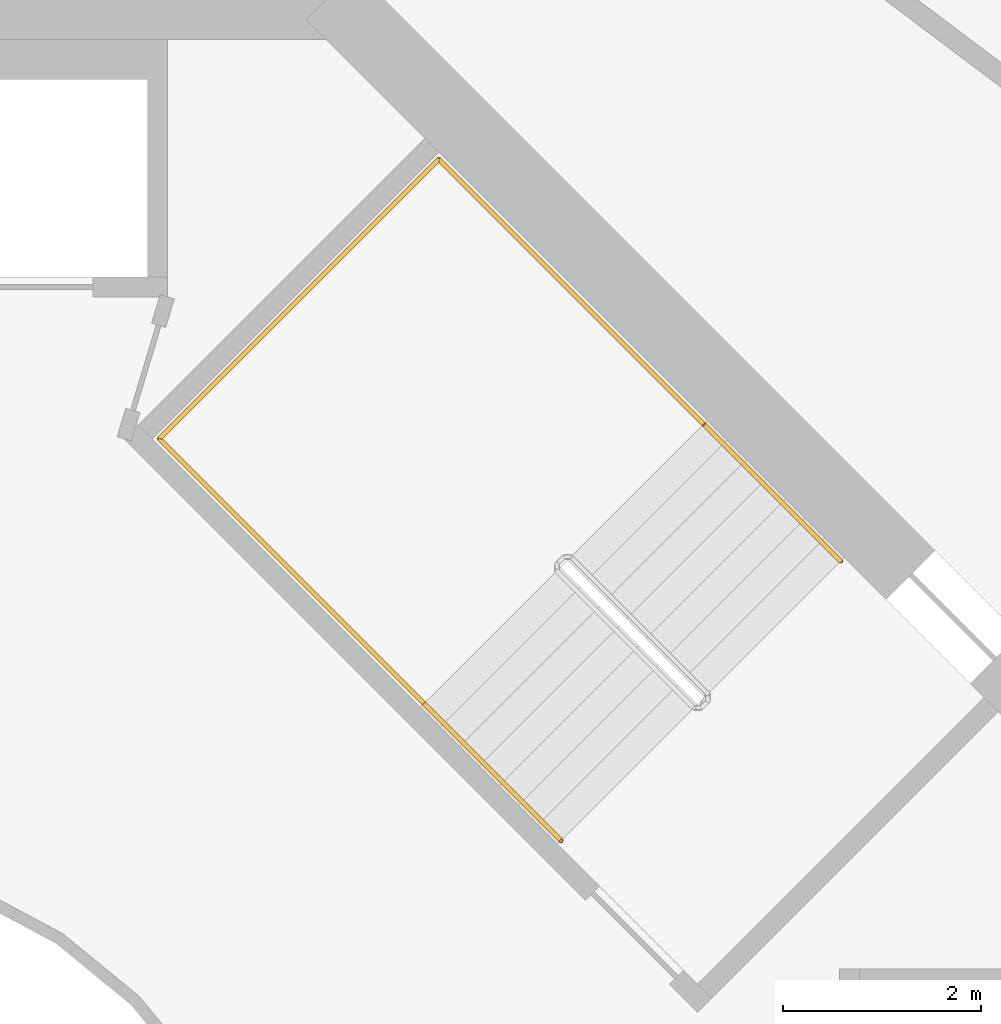
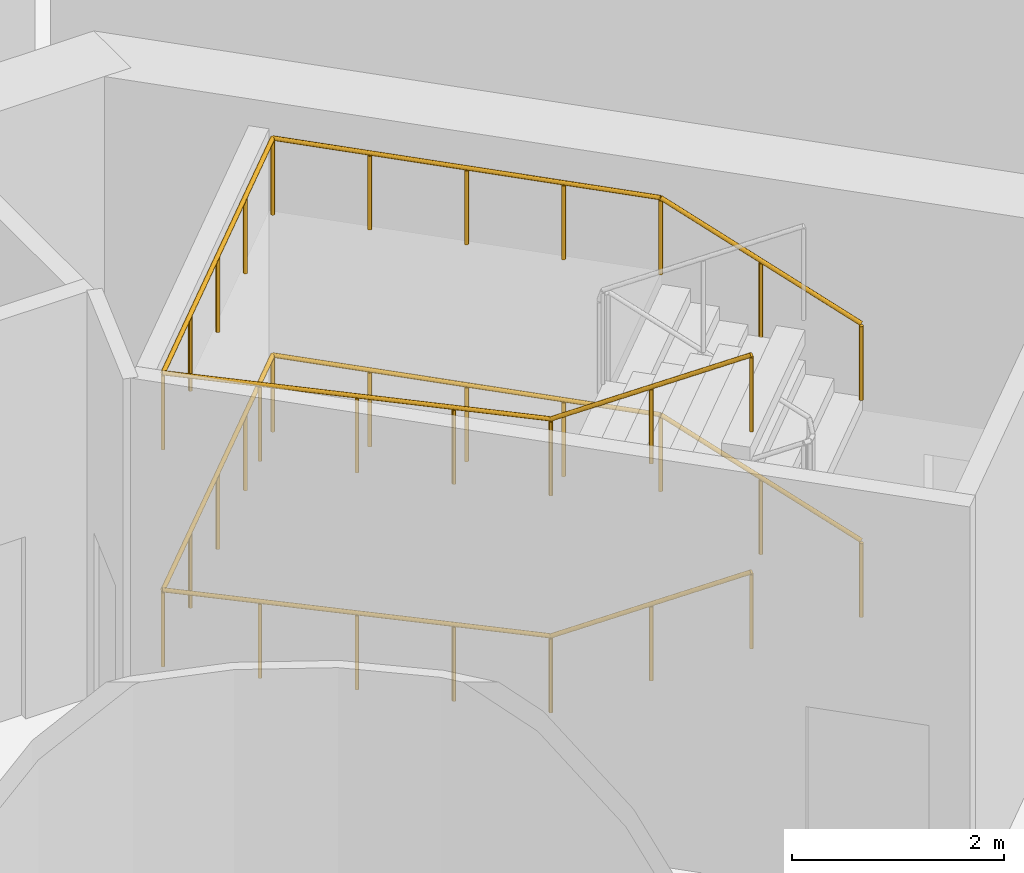
# One storey, part 17 of 17: 2 railings.
"""IFC4 building model written with IfcOpenShell, lengths in metres."""

from ifc_helpers import new_model, si_unit, direction, frame, origin, origin_2d, place, context, subcontext, project, spatial, circle, extrude, material, type_object, element, save


model = new_model("IFC4")

# Units and contexts
model_context = context("Model", 3, precision=1e-05, world=origin(), true_north=direction((0.0, 1.0)))
body_context = subcontext(model_context, "Body", "Model", "MODEL_VIEW")
ifc_project = project(units=[si_unit("LENGTHUNIT", "METRE"), si_unit("AREAUNIT", "SQUARE_METRE"), si_unit("VOLUMEUNIT", "CUBIC_METRE"), si_unit("PLANEANGLEUNIT", "RADIAN"), si_unit("MASSUNIT", "GRAM", prefix="KILO")], contexts=[model_context])

# Site, building, storey
site_placement = place(None, origin())
site = spatial("IfcSite", under=ifc_project, at=site_placement, CompositionType="ELEMENT")
building_placement = place(site_placement, origin())
building = spatial("IfcBuilding", under=site, at=building_placement, Name="Verdalira Terraces Hotel", CompositionType="ELEMENT")
storey_placement = place(building_placement, frame((0.0, 0.0, 128.0)))
storey = spatial("IfcBuildingStorey", under=building, at=storey_placement, Name="L30", CompositionType="ELEMENT", Elevation=128.0)

# Railings
ifc_material = material(Name="Stainless steel", Category="steel")
railing_type = type_object("IfcRailingType", Name="Stair handrail 900", PredefinedType="HANDRAIL", material=ifc_material)
railing_1_placement = place(storey_placement, frame((10.712646, 8.025635, 0.15625)))
element("IfcRailing", 1, at=railing_1_placement, inside=storey, type_object=railing_type, Name="L30 ST1 stair handrail 1", PredefinedType="HANDRAIL", context=body_context, shape_type="SweptSolid", body=[
    extrude(circle(Radius=0.023926, at=origin_2d()), frame((0.0, 0.0, 0.875977), z_axis=(-0.61747733, 0.61747733, 0.48728174), x_axis=(-0.707106781, -0.707106781, 0.0)), (0.0, 0.0, 1.0), 2.244629),
    extrude(circle(Radius=0.023926, at=origin_2d()), frame((-1.385986, 1.385986, 1.969727), z_axis=(-0.707106781, 0.707106781, 0.0), x_axis=(-0.707106781, -0.707106781, 0.0)), (0.0, 0.0, 1.0), 3.790039),
    extrude(circle(Radius=0.023926, at=origin_2d()), frame((-4.065918, 4.065918, 1.969727), z_axis=(-0.707106781, -0.707106781, 0.0), x_axis=(0.707106781, -0.707106781, 0.0)), (0.0, 0.0, 1.0), 4.0),
    extrude(circle(Radius=0.023926, at=origin_2d()), frame((-6.894287, 1.237549, 1.969727), z_axis=(0.706506625, -0.706506625, 0.041191969), x_axis=(0.707106781, 0.707106781, 0.0)), (0.0, 0.0, 1.0), 3.793213),
    extrude(circle(Radius=0.023926, at=origin_2d()), frame((-4.214355, -1.442383, 2.125977), z_axis=(0.61747733, -0.61747733, 0.48728174), x_axis=(0.707106781, 0.707106781, 0.0)), (0.0, 0.0, 1.0), 2.244629),
    extrude(circle(Radius=0.020996, at=origin_2d()), origin(), (0.0, 0.0, 1.0), 0.851807),
    extrude(circle(Radius=0.020996, at=origin_2d()), frame((-0.692871, 0.692871, 0.546875)), (0.0, 0.0, 1.0), 0.851807),
    extrude(circle(Radius=0.020996, at=origin_2d()), frame((-1.385986, 1.385986, 1.09375)), (0.0, 0.0, 1.0), 0.851807),
    extrude(circle(Radius=0.020996, at=origin_2d()), frame((-2.055908, 2.055908, 1.09375)), (0.0, 0.0, 1.0), 0.851807),
    extrude(circle(Radius=0.020996, at=origin_2d()), frame((-2.726074, 2.726074, 1.09375)), (0.0, 0.0, 1.0), 0.851807),
    extrude(circle(Radius=0.020996, at=origin_2d()), frame((-3.395996, 3.395996, 1.09375)), (0.0, 0.0, 1.0), 0.851807),
    extrude(circle(Radius=0.020996, at=origin_2d()), frame((-4.065918, 4.065918, 1.09375)), (0.0, 0.0, 1.0), 0.851807),
    extrude(circle(Radius=0.020996, at=origin_2d()), frame((-4.772949, 3.358887, 1.09375)), (0.0, 0.0, 1.0), 0.851807),
    extrude(circle(Radius=0.020996, at=origin_2d()), frame((-5.47998, 2.651855, 1.09375)), (0.0, 0.0, 1.0), 0.851807),
    extrude(circle(Radius=0.020996, at=origin_2d()), frame((-6.187256, 1.94458, 1.09375)), (0.0, 0.0, 1.0), 0.851807),
    extrude(circle(Radius=0.020996, at=origin_2d()), frame((-6.894287, 1.237549, 1.09375)), (0.0, 0.0, 1.0), 0.851807),
    extrude(circle(Radius=0.020996, at=origin_2d()), frame((-6.224365, 0.567627, 1.132812)), (0.0, 0.0, 1.0), 0.851807),
    extrude(circle(Radius=0.020996, at=origin_2d()), frame((-5.554199, -0.102539, 1.171875)), (0.0, 0.0, 1.0), 0.851807),
    extrude(circle(Radius=0.020996, at=origin_2d()), frame((-4.884277, -0.772461, 1.210938)), (0.0, 0.0, 1.0), 0.851807),
    extrude(circle(Radius=0.020996, at=origin_2d()), frame((-4.214355, -1.442383, 1.25)), (0.0, 0.0, 1.0), 0.851807),
    extrude(circle(Radius=0.020996, at=origin_2d()), frame((-3.521484, -2.135254, 1.796875)), (0.0, 0.0, 1.0), 0.851807),
    extrude(circle(Radius=0.020996, at=origin_2d()), frame((-2.828369, -2.828369, 2.34375)), (0.0, 0.0, 1.0), 0.851807),
])
railing_2_placement = place(storey_placement, frame((10.712646, 8.025635, 2.65625)))
element("IfcRailing", 2, at=railing_2_placement, inside=storey, type_object=railing_type, Name="L30 ST1 stair handrail 2", PredefinedType="HANDRAIL", context=body_context, shape_type="SweptSolid", body=[
    extrude(circle(Radius=0.023926, at=origin_2d()), frame((0.0, 0.0, 0.875977), z_axis=(-0.61747733, 0.61747733, 0.48728174), x_axis=(-0.707106781, -0.707106781, 0.0)), (0.0, 0.0, 1.0), 2.244629),
    extrude(circle(Radius=0.023926, at=origin_2d()), frame((-1.385986, 1.385986, 1.969727), z_axis=(-0.707106781, 0.707106781, 0.0), x_axis=(-0.707106781, -0.707106781, 0.0)), (0.0, 0.0, 1.0), 3.790039),
    extrude(circle(Radius=0.023926, at=origin_2d()), frame((-4.065918, 4.065918, 1.969727), z_axis=(-0.707106781, -0.707106781, 0.0), x_axis=(0.707106781, -0.707106781, 0.0)), (0.0, 0.0, 1.0), 4.0),
    extrude(circle(Radius=0.023926, at=origin_2d()), frame((-6.894287, 1.237549, 1.969727), z_axis=(0.706506625, -0.706506625, 0.041191969), x_axis=(0.707106781, 0.707106781, 0.0)), (0.0, 0.0, 1.0), 3.793213),
    extrude(circle(Radius=0.023926, at=origin_2d()), frame((-4.214355, -1.442383, 2.125977), z_axis=(0.61747733, -0.61747733, 0.48728174), x_axis=(0.707106781, 0.707106781, 0.0)), (0.0, 0.0, 1.0), 2.244629),
    extrude(circle(Radius=0.020996, at=origin_2d()), origin(), (0.0, 0.0, 1.0), 0.851807),
    extrude(circle(Radius=0.020996, at=origin_2d()), frame((-0.692871, 0.692871, 0.546875)), (0.0, 0.0, 1.0), 0.851807),
    extrude(circle(Radius=0.020996, at=origin_2d()), frame((-1.385986, 1.385986, 1.09375)), (0.0, 0.0, 1.0), 0.851807),
    extrude(circle(Radius=0.020996, at=origin_2d()), frame((-2.055908, 2.055908, 1.09375)), (0.0, 0.0, 1.0), 0.851807),
    extrude(circle(Radius=0.020996, at=origin_2d()), frame((-2.726074, 2.726074, 1.09375)), (0.0, 0.0, 1.0), 0.851807),
    extrude(circle(Radius=0.020996, at=origin_2d()), frame((-3.395996, 3.395996, 1.09375)), (0.0, 0.0, 1.0), 0.851807),
    extrude(circle(Radius=0.020996, at=origin_2d()), frame((-4.065918, 4.065918, 1.09375)), (0.0, 0.0, 1.0), 0.851807),
    extrude(circle(Radius=0.020996, at=origin_2d()), frame((-4.772949, 3.358887, 1.09375)), (0.0, 0.0, 1.0), 0.851807),
    extrude(circle(Radius=0.020996, at=origin_2d()), frame((-5.47998, 2.651855, 1.09375)), (0.0, 0.0, 1.0), 0.851807),
    extrude(circle(Radius=0.020996, at=origin_2d()), frame((-6.187256, 1.94458, 1.09375)), (0.0, 0.0, 1.0), 0.851807),
    extrude(circle(Radius=0.020996, at=origin_2d()), frame((-6.894287, 1.237549, 1.09375)), (0.0, 0.0, 1.0), 0.851807),
    extrude(circle(Radius=0.020996, at=origin_2d()), frame((-6.224365, 0.567627, 1.132812)), (0.0, 0.0, 1.0), 0.851807),
    extrude(circle(Radius=0.020996, at=origin_2d()), frame((-5.554199, -0.102539, 1.171875)), (0.0, 0.0, 1.0), 0.851807),
    extrude(circle(Radius=0.020996, at=origin_2d()), frame((-4.884277, -0.772461, 1.210938)), (0.0, 0.0, 1.0), 0.851807),
    extrude(circle(Radius=0.020996, at=origin_2d()), frame((-4.214355, -1.442383, 1.25)), (0.0, 0.0, 1.0), 0.851807),
    extrude(circle(Radius=0.020996, at=origin_2d()), frame((-3.521484, -2.135254, 1.796875)), (0.0, 0.0, 1.0), 0.851807),
    extrude(circle(Radius=0.020996, at=origin_2d()), frame((-2.828369, -2.828369, 2.34375)), (0.0, 0.0, 1.0), 0.851807),
])

save(model, "model.ifc")
